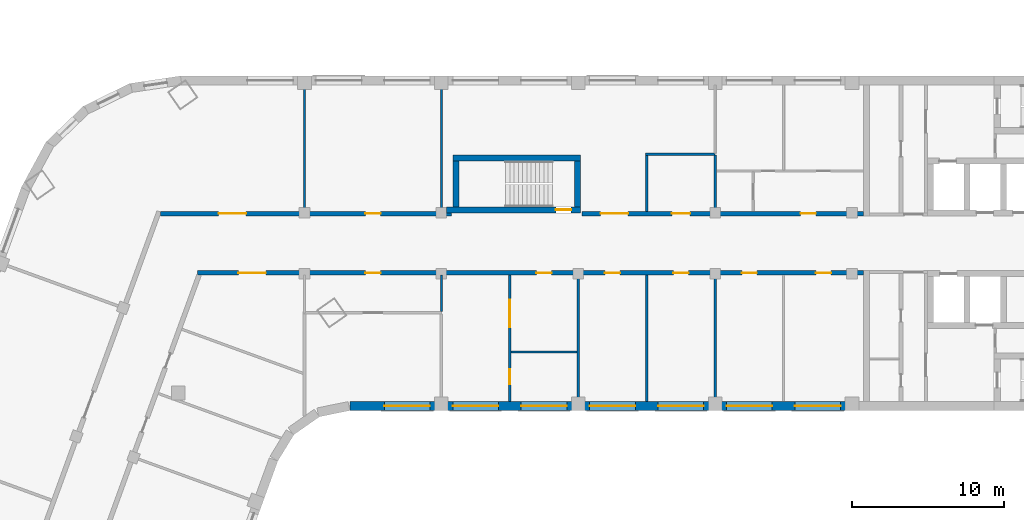
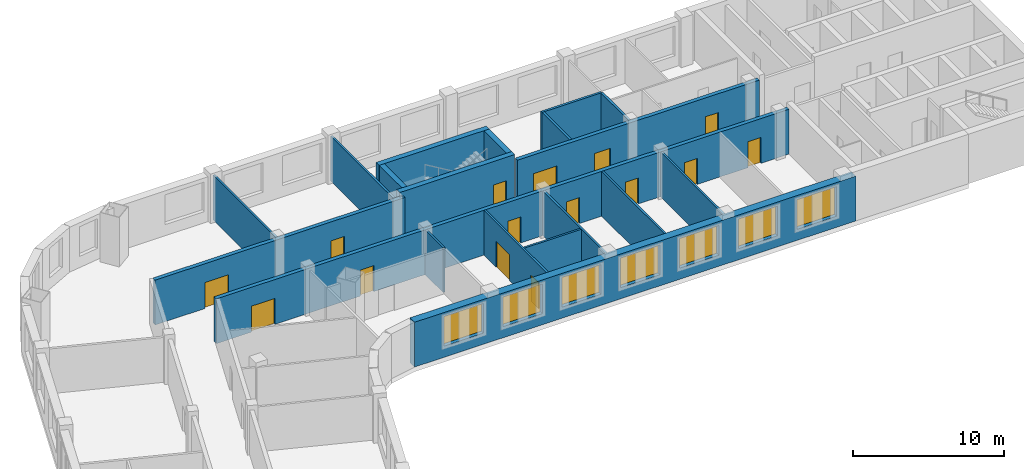
# One storey, part 4 of 12: 19 walls, 15 doors, 7 windows, 22 openings.
"""IFC4 building model written with IfcOpenShell, lengths in metres."""

from ifc_helpers import new_model, si_unit, direction, frame, frame_2d, origin, place, context, subcontext, project, spatial, rectangle, extrude, material, layer, layer_set, type_object, element, fill, save


model = new_model("IFC4")

# Units and contexts
model_context = context("Model", 3, precision=1e-05, world=origin(), true_north=direction((0.0, 1.0)))
body_context = subcontext(model_context, "Body", "Model", "MODEL_VIEW")
ifc_project = project(units=[si_unit("LENGTHUNIT", "METRE"), si_unit("AREAUNIT", "SQUARE_METRE"), si_unit("VOLUMEUNIT", "CUBIC_METRE"), si_unit("PLANEANGLEUNIT", "RADIAN"), si_unit("MASSUNIT", "GRAM", prefix="KILO")], contexts=[model_context])

# Site, building, storey
site_placement = place(None, origin())
site = spatial("IfcSite", under=ifc_project, at=site_placement, CompositionType="ELEMENT")
building_placement = place(site_placement, origin())
building = spatial("IfcBuilding", under=site, at=building_placement, Name="Skarvind Civic Tower", CompositionType="ELEMENT")
storey_placement = place(building_placement, frame((0.0, 0.0, 47.5)))
storey = spatial("IfcBuildingStorey", under=building, at=storey_placement, Name="L10", CompositionType="ELEMENT", Elevation=47.5)

# Walls
ifc_material_1 = material(Name="Acoustic gypsum board on steel studs", Category="steel")
ifc_layer_1 = layer(ifc_material_1, 0.175048828125)
ifc_layer_set_1 = layer_set([ifc_layer_1], Name="ACOUSTIC MEETING-ROOM PARTITION 175")
wall_type_1 = type_object("IfcWallType", Name="ACOUSTIC MEETING-ROOM PARTITION 175", PredefinedType="PARTITIONING", material=ifc_layer_set_1)
wall_1_placement = place(storey_placement, frame((76.75, 130.10009765625, 0.0), z_axis=(0.0, 0.0, 1.0), x_axis=(0.0, 1.0, 0.0)))
element("IfcWall", 1, at=wall_1_placement, inside=storey, type_object=wall_type_1, Name="Partition 10.025", PredefinedType="PARTITIONING", context=body_context, shape_type="SweptSolid", body=[
    extrude(rectangle(XDim=3.661865234375, YDim=0.175048828125, at=frame_2d((1.8310546875, 0.0))), origin(), (0.0, 0.0, 1.0), 3.625),
])
wall_2_placement = place(storey_placement, frame((76.662109375, 133.85009765625, 0.0), z_axis=(0.0, 0.0, 1.0), x_axis=(1.0, 0.0, 0.0)))
element("IfcWall", 2, at=wall_2_placement, inside=storey, type_object=wall_type_1, Name="Partition 10.026", PredefinedType="PARTITIONING", context=body_context, shape_type="SweptSolid", body=[
    extrude(rectangle(XDim=4.587890625, YDim=0.175048828125, at=frame_2d((2.2939453125, 0.0))), origin(), (0.0, 0.0, 1.0), 3.625),
])
wall_3_placement = place(storey_placement, frame((81.25, 130.10009765625, 0.0), z_axis=(0.0, 0.0, 1.0), x_axis=(0.0, 1.0, 0.0)))
element("IfcWall", 3, at=wall_3_placement, inside=storey, type_object=wall_type_1, Name="Partition 10.028", PredefinedType="PARTITIONING", context=body_context, shape_type="SweptSolid", body=[
    extrude(rectangle(XDim=3.68994140625, YDim=0.175048828125, at=frame_2d((1.844970703125, 0.0))), origin(), (0.0, 0.0, 1.0), 3.625),
])

# Wall, openings, doors
ifc_material_2 = material(Name="Fire-rated gypsum board on steel studs", Category="steel")
ifc_layer_2 = layer(ifc_material_2, 0.300048828125)
ifc_layer_set_2 = layer_set([ifc_layer_2], Name="CORRIDOR WALL 300")
wall_type_2 = type_object("IfcWallType", Name="CORRIDOR WALL 300", PredefinedType="PARTITIONING", material=ifc_layer_set_2)
wall_4_placement = place(storey_placement, frame((44.784912109375, 129.949951171875, 0.0), z_axis=(0.0, 0.0, 1.0), x_axis=(1.0, 0.0, 0.0)))
wall_4 = element("IfcWall", 4, at=wall_4_placement, inside=storey, type_object=wall_type_2, Name="Partition 10.010", PredefinedType="PARTITIONING", context=body_context, shape_type="SweptSolid", body=[
    extrude(rectangle(XDim=19.114990234375, YDim=0.300048828125, at=frame_2d((9.5576171875, 0.0))), origin(), (0.0, 0.0, 1.0), 3.625),
])
opening_1_placement = place(wall_4_placement, frame((13.465087890625, 0.0, 0.0)))
opening_1 = element("IfcOpeningElement", 5, at=opening_1_placement, cuts=wall_4, Name="Opening L10-D007", PredefinedType="OPENING", context=body_context, shape_type="SweptSolid", body=[
    extrude(rectangle(XDim=1.0, YDim=2.10009765625, at=frame_2d((0.5, 1.050048828125))), frame((0.0, 0.159912109375, 0.0), z_axis=(0.0, -1.0, 0.0), x_axis=(1.0, 0.0, 0.0)), (0.0, 0.0, 1.0), 0.320068359375),
])
opening_2_placement = place(wall_4_placement, frame((3.822509765625, 0.0, 0.0)))
opening_2 = element("IfcOpeningElement", 6, at=opening_2_placement, cuts=wall_4, Name="Opening L10-D024", PredefinedType="OPENING", context=body_context, shape_type="SweptSolid", body=[
    extrude(rectangle(XDim=1.800048828125, YDim=2.10009765625, at=frame_2d((0.89990234375, 1.050048828125))), frame((0.0, 0.159912109375, 0.0), z_axis=(0.0, -1.0, 0.0), x_axis=(1.0, 0.0, 0.0)), (0.0, 0.0, 1.0), 0.320068359375),
])
ifc_material_3 = material(Name="Fire-rated timber door leaf", Category="wood")
door_type_1 = type_object("IfcDoorType", Name="FD1 1000x2100", OperationType="NOTDEFINED", PredefinedType="DOOR", material=ifc_material_3)
door_1_placement = place(opening_1_placement, origin())
door_1 = element("IfcDoor", 7, at=door_1_placement, inside=storey, type_object=door_type_1, Name="Door L10-D007", OperationType="SINGLE_SWING_LEFT", OverallHeight=2.10009765625, OverallWidth=1.0, PredefinedType="DOOR", context=body_context, shape_type="SweptSolid", body=[
    extrude(rectangle(XDim=1.0, YDim=2.10009765625, at=frame_2d((0.5, 1.050048828125))), frame((0.0, 0.02490234375, 0.0), z_axis=(0.0, -1.0, 0.0), x_axis=(1.0, 0.0, 0.0)), (0.0, 0.0, 1.0), 0.050048828125),
])
fill(opening_1, door_1)
door_type_2 = type_object("IfcDoorType", Name="FD4 1800x2100", OperationType="NOTDEFINED", PredefinedType="DOOR", material=ifc_material_3)
door_2_placement = place(opening_2_placement, origin())
door_2 = element("IfcDoor", 8, at=door_2_placement, inside=storey, type_object=door_type_2, Name="Door L10-D024", OperationType="DOUBLE_DOOR_SINGLE_SWING", OverallHeight=2.10009765625, OverallWidth=1.800048828125, PredefinedType="DOOR", context=body_context, shape_type="SweptSolid", body=[
    extrude(rectangle(XDim=1.800048828125, YDim=2.10009765625, at=frame_2d((0.89990234375, 1.050048828125))), frame((0.0, 0.02490234375, 0.0), z_axis=(0.0, -1.0, 0.0), x_axis=(1.0, 0.0, 0.0)), (0.0, 0.0, 1.0), 0.050048828125),
])
fill(opening_2, door_2)

wall_5_placement = place(storey_placement, frame((72.5, 129.949951171875, 0.0), z_axis=(0.0, 0.0, 1.0), x_axis=(1.0, 0.0, 0.0)))
wall_5 = element("IfcWall", 9, at=wall_5_placement, inside=storey, type_object=wall_type_2, Name="Partition 10.023", PredefinedType="PARTITIONING", context=body_context, shape_type="SweptSolid", body=[
    extrude(rectangle(XDim=18.5, YDim=0.300048828125, at=frame_2d((9.25, 0.0))), origin(), (0.0, 0.0, 1.0), 3.625),
])
opening_3_placement = place(wall_5_placement, frame((14.375, 0.0, 0.0)))
opening_3 = element("IfcOpeningElement", 10, at=opening_3_placement, cuts=wall_5, Name="Opening L10-D001", PredefinedType="OPENING", context=body_context, shape_type="SweptSolid", body=[
    extrude(rectangle(XDim=1.0, YDim=2.10009765625, at=frame_2d((0.5, 1.050048828125))), frame((0.0, 0.159912109375, 0.0), z_axis=(0.0, -1.0, 0.0), x_axis=(1.0, 0.0, 0.0)), (0.0, 0.0, 1.0), 0.320068359375),
])
opening_4_placement = place(wall_5_placement, frame((5.89990234375, 0.0, 0.0)))
opening_4 = element("IfcOpeningElement", 11, at=opening_4_placement, cuts=wall_5, Name="Opening L10-D005", PredefinedType="OPENING", context=body_context, shape_type="SweptSolid", body=[
    extrude(rectangle(XDim=1.199951171875, YDim=2.10009765625, at=frame_2d((0.60009765625, 1.050048828125))), frame((0.0, 0.159912109375, 0.0), z_axis=(0.0, -1.0, 0.0), x_axis=(1.0, 0.0, 0.0)), (0.0, 0.0, 1.0), 0.320068359375),
])
opening_5_placement = place(wall_5_placement, frame((1.22509765625, 0.0, 0.0)))
opening_5 = element("IfcOpeningElement", 12, at=opening_5_placement, cuts=wall_5, Name="Opening L10-D006", PredefinedType="OPENING", context=body_context, shape_type="SweptSolid", body=[
    extrude(rectangle(XDim=1.800048828125, YDim=2.10009765625, at=frame_2d((0.89990234375, 1.050048828125))), frame((0.0, 0.159912109375, 0.0), z_axis=(0.0, -1.0, 0.0), x_axis=(1.0, 0.0, 0.0)), (0.0, 0.0, 1.0), 0.320068359375),
])
door_3_placement = place(opening_3_placement, origin())
door_3 = element("IfcDoor", 13, at=door_3_placement, inside=storey, type_object=door_type_1, Name="Door L10-D001", OperationType="SINGLE_SWING_LEFT", OverallHeight=2.10009765625, OverallWidth=1.0, PredefinedType="DOOR", context=body_context, shape_type="SweptSolid", body=[
    extrude(rectangle(XDim=1.0, YDim=2.10009765625, at=frame_2d((0.5, 1.050048828125))), frame((0.0, 0.02490234375, 0.0), z_axis=(0.0, -1.0, 0.0), x_axis=(1.0, 0.0, 0.0)), (0.0, 0.0, 1.0), 0.050048828125),
])
fill(opening_3, door_3)
door_4_placement = place(opening_5_placement, origin())
door_4 = element("IfcDoor", 14, at=door_4_placement, inside=storey, type_object=door_type_2, Name="Door L10-D006", OperationType="DOUBLE_DOOR_SINGLE_SWING", OverallHeight=2.10009765625, OverallWidth=1.800048828125, PredefinedType="DOOR", context=body_context, shape_type="SweptSolid", body=[
    extrude(rectangle(XDim=1.800048828125, YDim=2.10009765625, at=frame_2d((0.89990234375, 1.050048828125))), frame((0.0, 0.02490234375, 0.0), z_axis=(0.0, -1.0, 0.0), x_axis=(1.0, 0.0, 0.0)), (0.0, 0.0, 1.0), 0.050048828125),
])
fill(opening_5, door_4)
door_type_3 = type_object("IfcDoorType", Name="FD6 1200x2100 DOUBLE", OperationType="NOTDEFINED", PredefinedType="DOOR", material=ifc_material_3)
door_5_placement = place(opening_4_placement, origin())
door_5 = element("IfcDoor", 15, at=door_5_placement, inside=storey, type_object=door_type_3, Name="Door L10-D005", OperationType="DOUBLE_DOOR_SINGLE_SWING", OverallHeight=2.10009765625, OverallWidth=1.199951171875, PredefinedType="DOOR", context=body_context, shape_type="SweptSolid", body=[
    extrude(rectangle(XDim=1.199951171875, YDim=2.10009765625, at=frame_2d((0.60009765625, 1.050048828125))), frame((0.0, 0.02490234375, 0.0), z_axis=(0.0, -1.0, 0.0), x_axis=(1.0, 0.0, 0.0)), (0.0, 0.0, 1.0), 0.050048828125),
])
fill(opening_4, door_5)

wall_6_placement = place(storey_placement, frame((91.0, 126.050048828125, 0.0), z_axis=(0.0, 0.0, 1.0), x_axis=(-1.0, 0.0, 0.0)))
wall_6 = element("IfcWall", 16, at=wall_6_placement, inside=storey, type_object=wall_type_2, Name="Partition 10.034", PredefinedType="PARTITIONING", context=body_context, shape_type="SweptSolid", body=[
    extrude(rectangle(XDim=43.784912109375, YDim=0.300048828125, at=frame_2d((21.892578125, 0.0))), origin(), (0.0, 0.0, 1.0), 3.625),
])
opening_6_placement = place(wall_6_placement, frame((2.125, 0.0, 0.0)))
opening_6 = element("IfcOpeningElement", 17, at=opening_6_placement, cuts=wall_6, Name="Opening L10-D008", PredefinedType="OPENING", context=body_context, shape_type="SweptSolid", body=[
    extrude(rectangle(XDim=1.0, YDim=2.10009765625, at=frame_2d((0.5, 1.050048828125))), frame((0.0, 0.159912109375, 0.0), z_axis=(0.0, -1.0, 0.0), x_axis=(1.0, 0.0, 0.0)), (0.0, 0.0, 1.0), 0.320068359375),
])
opening_7_placement = place(wall_6_placement, frame((7.0, 0.0, 0.0)))
opening_7 = element("IfcOpeningElement", 18, at=opening_7_placement, cuts=wall_6, Name="Opening L10-D009", PredefinedType="OPENING", context=body_context, shape_type="SweptSolid", body=[
    extrude(rectangle(XDim=1.0, YDim=2.10009765625, at=frame_2d((0.5, 1.050048828125))), frame((0.0, 0.159912109375, 0.0), z_axis=(0.0, -1.0, 0.0), x_axis=(1.0, 0.0, 0.0)), (0.0, 0.0, 1.0), 0.320068359375),
])
opening_8_placement = place(wall_6_placement, frame((11.5, 0.0, 0.0)))
opening_8 = element("IfcOpeningElement", 19, at=opening_8_placement, cuts=wall_6, Name="Opening L10-D010", PredefinedType="OPENING", context=body_context, shape_type="SweptSolid", body=[
    extrude(rectangle(XDim=1.0, YDim=2.10009765625, at=frame_2d((0.5, 1.050048828125))), frame((0.0, 0.159912109375, 0.0), z_axis=(0.0, -1.0, 0.0), x_axis=(1.0, 0.0, 0.0)), (0.0, 0.0, 1.0), 0.320068359375),
])
opening_9_placement = place(wall_6_placement, frame((16.0, 0.0, 0.0)))
opening_9 = element("IfcOpeningElement", 20, at=opening_9_placement, cuts=wall_6, Name="Opening L10-D011", PredefinedType="OPENING", context=body_context, shape_type="SweptSolid", body=[
    extrude(rectangle(XDim=1.0, YDim=2.10009765625, at=frame_2d((0.5, 1.050048828125))), frame((0.0, 0.159912109375, 0.0), z_axis=(0.0, -1.0, 0.0), x_axis=(1.0, 0.0, 0.0)), (0.0, 0.0, 1.0), 0.320068359375),
])
opening_10_placement = place(wall_6_placement, frame((20.5, 0.0, 0.0)))
opening_10 = element("IfcOpeningElement", 21, at=opening_10_placement, cuts=wall_6, Name="Opening L10-D012", PredefinedType="OPENING", context=body_context, shape_type="SweptSolid", body=[
    extrude(rectangle(XDim=1.0, YDim=2.10009765625, at=frame_2d((0.5, 1.050048828125))), frame((0.0, 0.159912109375, 0.0), z_axis=(0.0, -1.0, 0.0), x_axis=(1.0, 0.0, 0.0)), (0.0, 0.0, 1.0), 0.320068359375),
])
opening_11_placement = place(wall_6_placement, frame((31.75, 0.0, 0.0)))
opening_11 = element("IfcOpeningElement", 22, at=opening_11_placement, cuts=wall_6, Name="Opening L10-D015", PredefinedType="OPENING", context=body_context, shape_type="SweptSolid", body=[
    extrude(rectangle(XDim=1.0, YDim=2.10009765625, at=frame_2d((0.5, 1.050048828125))), frame((0.0, 0.159912109375, 0.0), z_axis=(0.0, -1.0, 0.0), x_axis=(1.0, 0.0, 0.0)), (0.0, 0.0, 1.0), 0.320068359375),
])
opening_12_placement = place(wall_6_placement, frame((39.2958984375, 0.0, 0.0)))
opening_12 = element("IfcOpeningElement", 23, at=opening_12_placement, cuts=wall_6, Name="Opening L10-D025", PredefinedType="OPENING", context=body_context, shape_type="SweptSolid", body=[
    extrude(rectangle(XDim=1.800048828125, YDim=2.10009765625, at=frame_2d((0.89990234375, 1.050048828125))), frame((0.0, 0.159912109375, 0.0), z_axis=(0.0, -1.0, 0.0), x_axis=(1.0, 0.0, 0.0)), (0.0, 0.0, 1.0), 0.320068359375),
])
door_6_placement = place(opening_6_placement, origin())
door_6 = element("IfcDoor", 24, at=door_6_placement, inside=storey, type_object=door_type_1, Name="Door L10-D008", OperationType="SINGLE_SWING_LEFT", OverallHeight=2.10009765625, OverallWidth=1.0, PredefinedType="DOOR", context=body_context, shape_type="SweptSolid", body=[
    extrude(rectangle(XDim=1.0, YDim=2.10009765625, at=frame_2d((0.5, 1.050048828125))), frame((0.0, 0.02490234375, 0.0), z_axis=(0.0, -1.0, 0.0), x_axis=(1.0, 0.0, 0.0)), (0.0, 0.0, 1.0), 0.050048828125),
])
fill(opening_6, door_6)
door_7_placement = place(opening_7_placement, origin())
door_7 = element("IfcDoor", 25, at=door_7_placement, inside=storey, type_object=door_type_1, Name="Door L10-D009", OperationType="SINGLE_SWING_RIGHT", OverallHeight=2.10009765625, OverallWidth=1.0, PredefinedType="DOOR", context=body_context, shape_type="SweptSolid", body=[
    extrude(rectangle(XDim=1.0, YDim=2.10009765625, at=frame_2d((0.5, 1.050048828125))), frame((0.0, 0.02490234375, 0.0), z_axis=(0.0, -1.0, 0.0), x_axis=(1.0, 0.0, 0.0)), (0.0, 0.0, 1.0), 0.050048828125),
])
fill(opening_7, door_7)
door_8_placement = place(opening_8_placement, origin())
door_8 = element("IfcDoor", 26, at=door_8_placement, inside=storey, type_object=door_type_1, Name="Door L10-D010", OperationType="SINGLE_SWING_LEFT", OverallHeight=2.10009765625, OverallWidth=1.0, PredefinedType="DOOR", context=body_context, shape_type="SweptSolid", body=[
    extrude(rectangle(XDim=1.0, YDim=2.10009765625, at=frame_2d((0.5, 1.050048828125))), frame((0.0, 0.02490234375, 0.0), z_axis=(0.0, -1.0, 0.0), x_axis=(1.0, 0.0, 0.0)), (0.0, 0.0, 1.0), 0.050048828125),
])
fill(opening_8, door_8)
door_9_placement = place(opening_9_placement, origin())
door_9 = element("IfcDoor", 27, at=door_9_placement, inside=storey, type_object=door_type_1, Name="Door L10-D011", OperationType="SINGLE_SWING_LEFT", OverallHeight=2.10009765625, OverallWidth=1.0, PredefinedType="DOOR", context=body_context, shape_type="SweptSolid", body=[
    extrude(rectangle(XDim=1.0, YDim=2.10009765625, at=frame_2d((0.5, 1.050048828125))), frame((0.0, 0.02490234375, 0.0), z_axis=(0.0, -1.0, 0.0), x_axis=(1.0, 0.0, 0.0)), (0.0, 0.0, 1.0), 0.050048828125),
])
fill(opening_9, door_9)
door_10_placement = place(opening_10_placement, origin())
door_10 = element("IfcDoor", 28, at=door_10_placement, inside=storey, type_object=door_type_1, Name="Door L10-D012", OperationType="SINGLE_SWING_LEFT", OverallHeight=2.10009765625, OverallWidth=1.0, PredefinedType="DOOR", context=body_context, shape_type="SweptSolid", body=[
    extrude(rectangle(XDim=1.0, YDim=2.10009765625, at=frame_2d((0.5, 1.050048828125))), frame((0.0, 0.02490234375, 0.0), z_axis=(0.0, -1.0, 0.0), x_axis=(1.0, 0.0, 0.0)), (0.0, 0.0, 1.0), 0.050048828125),
])
fill(opening_10, door_10)
door_11_placement = place(opening_11_placement, origin())
door_11 = element("IfcDoor", 29, at=door_11_placement, inside=storey, type_object=door_type_1, Name="Door L10-D015", OperationType="SINGLE_SWING_LEFT", OverallHeight=2.10009765625, OverallWidth=1.0, PredefinedType="DOOR", context=body_context, shape_type="SweptSolid", body=[
    extrude(rectangle(XDim=1.0, YDim=2.10009765625, at=frame_2d((0.5, 1.050048828125))), frame((0.0, 0.02490234375, 0.0), z_axis=(0.0, -1.0, 0.0), x_axis=(1.0, 0.0, 0.0)), (0.0, 0.0, 1.0), 0.050048828125),
])
fill(opening_11, door_11)
door_12_placement = place(opening_12_placement, origin())
door_12 = element("IfcDoor", 30, at=door_12_placement, inside=storey, type_object=door_type_2, Name="Door L10-D025", OperationType="DOUBLE_DOOR_SINGLE_SWING", OverallHeight=2.10009765625, OverallWidth=1.800048828125, PredefinedType="DOOR", context=body_context, shape_type="SweptSolid", body=[
    extrude(rectangle(XDim=1.800048828125, YDim=2.10009765625, at=frame_2d((0.89990234375, 1.050048828125))), frame((0.0, 0.02490234375, 0.0), z_axis=(0.0, -1.0, 0.0), x_axis=(1.0, 0.0, 0.0)), (0.0, 0.0, 1.0), 0.050048828125),
])
fill(opening_12, door_12)

# Wall, opening, door
ifc_material_4 = material(Name="Concrete C80", Category="concrete")
ifc_layer_3 = layer(ifc_material_4, 0.39990234375)
ifc_layer_set_3 = layer_set([ifc_layer_3], Name="Core wall 400 C80")
wall_type_3 = type_object("IfcWallType", Name="Core wall 400 C80", PredefinedType="SHEAR", material=ifc_layer_set_3)
wall_7_placement = place(storey_placement, frame((63.60009765625, 130.199951171875, 0.0), z_axis=(0.0, 0.0, 1.0), x_axis=(1.0, 0.0, 0.0)))
wall_7 = element("IfcWall", 31, at=wall_7_placement, inside=storey, type_object=wall_type_3, Name="Core wall CM inner L10", PredefinedType="SHEAR", context=body_context, shape_type="SweptSolid", body=[
    extrude(rectangle(XDim=8.7998046875, YDim=0.39990234375, at=frame_2d((4.39990234375, 0.0))), origin(), (0.0, 0.0, 1.0), 4.0),
])
opening_13_placement = place(wall_7_placement, frame((7.175048828125, 0.0, 0.0)))
opening_13 = element("IfcOpeningElement", 32, at=opening_13_placement, cuts=wall_7, Name="Opening D-L10-CM-01", PredefinedType="OPENING", context=body_context, shape_type="SweptSolid", body=[
    extrude(rectangle(XDim=1.0, YDim=2.10009765625, at=frame_2d((0.5, 1.050048828125))), frame((0.0, 0.2099609375, 0.0), z_axis=(0.0, -1.0, 0.0), x_axis=(1.0, 0.0, 0.0)), (0.0, 0.0, 1.0), 0.419921875),
])
ifc_material_5 = material(Name="Fire-rated steel door", Category="steel")
door_type_4 = type_object("IfcDoorType", Name="Fire door 1000", OperationType="NOTDEFINED", PredefinedType="DOOR", material=ifc_material_5)
door_13_placement = place(opening_13_placement, origin())
door_13 = element("IfcDoor", 33, at=door_13_placement, inside=storey, type_object=door_type_4, Name="Fire door", OperationType="SINGLE_SWING_LEFT", OverallHeight=2.10009765625, OverallWidth=1.0, PredefinedType="DOOR", context=body_context, shape_type="SweptSolid", body=[
    extrude(rectangle(XDim=1.0, YDim=2.10009765625, at=frame_2d((0.5, 1.050048828125))), frame((0.0, 0.02490234375, 0.0), z_axis=(0.0, -1.0, 0.0), x_axis=(1.0, 0.0, 0.0)), (0.0, 0.0, 1.0), 0.050048828125),
])
fill(opening_13, door_13)

# Walls
wall_8_placement = place(storey_placement, frame((64.0, 133.60009765625, 0.0), z_axis=(0.0, 0.0, 1.0), x_axis=(1.0, 0.0, 0.0)))
element("IfcWall", 34, at=wall_8_placement, inside=storey, type_object=wall_type_3, Name="Core wall CM outer L10", PredefinedType="SHEAR", context=body_context, shape_type="SweptSolid", body=[
    extrude(rectangle(XDim=8.39990234375, YDim=0.39990234375, at=frame_2d((4.199951171875, 0.0))), origin(), (0.0, 0.0, 1.0), 4.0),
])
for number, where, z_axis, x_axis, name in (
    (35, (64.199951171875, 130.39990234375, 0.0), (0.0, 0.0, 1.0), (0.0, 1.0, 0.0), "Core wall CM west L10"),
    (36, (72.199951171875, 130.39990234375, 0.0), (0.0, 0.0, 1.0), (0.0, 1.0, 0.0), "Core wall CM end L10"),
):
    element("IfcWall", number, at=place(storey_placement, frame(where, z_axis=z_axis, x_axis=x_axis)), inside=storey, type_object=wall_type_3, Name=name, PredefinedType="SHEAR", context=body_context, shape_type="SweptSolid", body=[
        extrude(rectangle(XDim=3.0, YDim=0.39990234375, at=frame_2d((1.5, 0.0))), origin(), (0.0, 0.0, 1.0), 4.0),
    ])
ifc_material_6 = material(Name="Plasterboard partition on steel studs", Category="steel")
ifc_layer_4 = layer(ifc_material_6, 0.14990234375)
ifc_layer_set_4 = layer_set([ifc_layer_4], Name="PARTITION 150")
wall_type_4 = type_object("IfcWallType", Name="PARTITION 150", PredefinedType="PARTITIONING", material=ifc_layer_set_4)
wall_9_placement = place(storey_placement, frame((54.25, 138.39990234375, 0.0), z_axis=(0.0, 0.0, 1.0), x_axis=(0.0, -1.0, 0.0)))
element("IfcWall", 37, at=wall_9_placement, inside=storey, type_object=wall_type_4, Name="Partition 10.015", PredefinedType="PARTITIONING", context=body_context, shape_type="SweptSolid", body=[
    extrude(rectangle(XDim=8.2998046875, YDim=0.14990234375, at=frame_2d((4.14990234375, 0.0))), origin(), (0.0, 0.0, 1.0), 3.625),
])
wall_10_placement = place(storey_placement, frame((63.25, 123.514892578125, 0.0), z_axis=(0.0, 0.0, 1.0), x_axis=(0.0, 1.0, 0.0)))
element("IfcWall", 38, at=wall_10_placement, inside=storey, type_object=wall_type_4, Name="Partition 10.017", PredefinedType="PARTITIONING", context=body_context, shape_type="SweptSolid", body=[
    extrude(rectangle(XDim=2.385009765625, YDim=0.14990234375, at=frame_2d((1.1923828125, 0.0))), origin(), (0.0, 0.0, 1.0), 3.625),
])
wall_11_placement = place(storey_placement, frame((63.25, 130.10009765625, 0.0), z_axis=(0.0, 0.0, 1.0), x_axis=(0.0, 1.0, 0.0)))
element("IfcWall", 39, at=wall_11_placement, inside=storey, type_object=wall_type_4, Name="Partition 10.019", PredefinedType="PARTITIONING", context=body_context, shape_type="SweptSolid", body=[
    extrude(rectangle(XDim=8.2998046875, YDim=0.14990234375, at=frame_2d((4.14990234375, 0.0))), origin(), (0.0, 0.0, 1.0), 3.625),
])

# Wall, openings, doors
wall_12_placement = place(storey_placement, frame((67.75, 125.89990234375, 0.0), z_axis=(0.0, 0.0, 1.0), x_axis=(0.0, -1.0, 0.0)))
wall_12 = element("IfcWall", 40, at=wall_12_placement, inside=storey, type_object=wall_type_4, Name="Partition 10.020", PredefinedType="PARTITIONING", context=body_context, shape_type="SweptSolid", body=[
    extrude(rectangle(XDim=8.2998046875, YDim=0.14990234375, at=frame_2d((4.14990234375, 0.0))), origin(), (0.0, 0.0, 1.0), 3.625),
])
opening_14_placement = place(wall_12_placement, frame((6.175048828125, 0.0, 0.0)))
opening_14 = element("IfcOpeningElement", 41, at=opening_14_placement, cuts=wall_12, Name="Opening L10-D013", PredefinedType="OPENING", context=body_context, shape_type="SweptSolid", body=[
    extrude(rectangle(XDim=1.0, YDim=2.10009765625, at=frame_2d((0.5, 1.050048828125))), frame((0.0, 0.0849609375, 0.0), z_axis=(0.0, -1.0, 0.0), x_axis=(1.0, 0.0, 0.0)), (0.0, 0.0, 1.0), 0.169921875),
])
opening_15_placement = place(wall_12_placement, frame((1.614990234375, 0.0, 0.0)))
opening_15 = element("IfcOpeningElement", 42, at=opening_15_placement, cuts=wall_12, Name="Opening L10-D014", PredefinedType="OPENING", context=body_context, shape_type="SweptSolid", body=[
    extrude(rectangle(XDim=1.800048828125, YDim=2.10009765625, at=frame_2d((0.89990234375, 1.050048828125))), frame((0.0, 0.0849609375, 0.0), z_axis=(0.0, -1.0, 0.0), x_axis=(1.0, 0.0, 0.0)), (0.0, 0.0, 1.0), 0.169921875),
])
ifc_material_7 = material(Name="Timber door leaf", Category="wood")
door_type_5 = type_object("IfcDoorType", Name="D1 1000x2100", OperationType="NOTDEFINED", PredefinedType="DOOR", material=ifc_material_7)
door_14_placement = place(opening_14_placement, origin())
door_14 = element("IfcDoor", 43, at=door_14_placement, inside=storey, type_object=door_type_5, Name="Door L10-D013", OperationType="SINGLE_SWING_RIGHT", OverallHeight=2.10009765625, OverallWidth=1.0, PredefinedType="DOOR", context=body_context, shape_type="SweptSolid", body=[
    extrude(rectangle(XDim=1.0, YDim=2.10009765625, at=frame_2d((0.5, 1.050048828125))), frame((0.0, 0.02490234375, 0.0), z_axis=(0.0, -1.0, 0.0), x_axis=(1.0, 0.0, 0.0)), (0.0, 0.0, 1.0), 0.050048828125),
])
fill(opening_14, door_14)
door_type_6 = type_object("IfcDoorType", Name="D4 1800x2100", OperationType="NOTDEFINED", PredefinedType="DOOR", material=ifc_material_7)
door_15_placement = place(opening_15_placement, origin())
door_15 = element("IfcDoor", 44, at=door_15_placement, inside=storey, type_object=door_type_6, Name="Door L10-D014", OperationType="DOUBLE_DOOR_SINGLE_SWING", OverallHeight=2.10009765625, OverallWidth=1.800048828125, PredefinedType="DOOR", context=body_context, shape_type="SweptSolid", body=[
    extrude(rectangle(XDim=1.800048828125, YDim=2.10009765625, at=frame_2d((0.89990234375, 1.050048828125))), frame((0.0, 0.02490234375, 0.0), z_axis=(0.0, -1.0, 0.0), x_axis=(1.0, 0.0, 0.0)), (0.0, 0.0, 1.0), 0.050048828125),
])
fill(opening_15, door_15)

# Walls
wall_13_placement = place(storey_placement, frame((67.824951171875, 120.85009765625, 0.0), z_axis=(0.0, 0.0, 1.0), x_axis=(1.0, 0.0, 0.0)))
element("IfcWall", 45, at=wall_13_placement, inside=storey, type_object=wall_type_4, Name="Partition 10.021", PredefinedType="PARTITIONING", context=body_context, shape_type="SweptSolid", body=[
    extrude(rectangle(XDim=4.35009765625, YDim=0.14990234375, at=frame_2d((2.175048828125, 0.0))), origin(), (0.0, 0.0, 1.0), 3.625),
])
for number, where, z_axis, x_axis, name in (
    (46, (72.25, 117.60009765625, 0.0), (0.0, 0.0, 1.0), (0.0, 1.0, 0.0), "Partition 10.022"),
    (47, (76.75, 117.60009765625, 0.0), (0.0, 0.0, 1.0), (0.0, 1.0, 0.0), "Partition 10.024"),
    (48, (81.25, 117.60009765625, 0.0), (0.0, 0.0, 1.0), (0.0, 1.0, 0.0), "Partition 10.027"),
):
    element("IfcWall", number, at=place(storey_placement, frame(where, z_axis=z_axis, x_axis=x_axis)), inside=storey, type_object=wall_type_4, Name=name, PredefinedType="PARTITIONING", context=body_context, shape_type="SweptSolid", body=[
        extrude(rectangle(XDim=8.2998046875, YDim=0.14990234375, at=frame_2d((4.14990234375, 0.0))), origin(), (0.0, 0.0, 1.0), 3.625),
    ])

# Wall, openings, windows
ifc_material_8 = material(Name="Limestone masonry cladding on insulated backing", Category="masonry")
ifc_layer_5 = layer(ifc_material_8, 0.60009765625)
ifc_layer_set_5 = layer_set([ifc_layer_5], Name="WX1 STONE FACADE WALL 600")
wall_type_5 = type_object("IfcWallType", Name="WX1 STONE FACADE WALL 600", PredefinedType="SOLIDWALL", material=ifc_layer_set_5)
wall_14_placement = place(storey_placement, frame((90.97998046875, 117.300048828125, 0.0), z_axis=(0.0, 0.0, 1.0), x_axis=(-1.0, 0.0, 0.0)))
wall_14 = element("IfcWall", 49, at=wall_14_placement, inside=storey, type_object=wall_type_5, Name="STONE FACADE WALL", PredefinedType="SOLIDWALL", context=body_context, shape_type="SweptSolid", body=[
    extrude(rectangle(XDim=33.744873046875, YDim=0.60009765625, at=frame_2d((16.87255859375, 0.0))), origin(), (0.0, 0.0, 1.0), 3.625),
])
opening_16_placement = place(wall_14_placement, frame((1.47998046875, 0.0, 0.89990234375)))
opening_16 = element("IfcOpeningElement", 50, at=opening_16_placement, cuts=wall_14, Name="Opening WN1", PredefinedType="OPENING", context=body_context, shape_type="SweptSolid", body=[
    extrude(rectangle(XDim=3.0, YDim=2.39990234375, at=frame_2d((1.5, 1.199951171875))), frame((0.0, 0.31005859375, 0.0), z_axis=(0.0, -1.0, 0.0), x_axis=(1.0, 0.0, 0.0)), (0.0, 0.0, 1.0), 0.6201171875),
])
opening_17_placement = place(wall_14_placement, frame((5.97998046875, 0.0, 0.89990234375)))
opening_17 = element("IfcOpeningElement", 51, at=opening_17_placement, cuts=wall_14, Name="Opening WN1", PredefinedType="OPENING", context=body_context, shape_type="SweptSolid", body=[
    extrude(rectangle(XDim=3.0, YDim=2.39990234375, at=frame_2d((1.5, 1.199951171875))), frame((0.0, 0.31005859375, 0.0), z_axis=(0.0, -1.0, 0.0), x_axis=(1.0, 0.0, 0.0)), (0.0, 0.0, 1.0), 0.6201171875),
])
opening_18_placement = place(wall_14_placement, frame((10.47998046875, 0.0, 0.89990234375)))
opening_18 = element("IfcOpeningElement", 52, at=opening_18_placement, cuts=wall_14, Name="Opening WN1", PredefinedType="OPENING", context=body_context, shape_type="SweptSolid", body=[
    extrude(rectangle(XDim=3.0, YDim=2.39990234375, at=frame_2d((1.5, 1.199951171875))), frame((0.0, 0.31005859375, 0.0), z_axis=(0.0, -1.0, 0.0), x_axis=(1.0, 0.0, 0.0)), (0.0, 0.0, 1.0), 0.6201171875),
])
opening_19_placement = place(wall_14_placement, frame((14.97998046875, 0.0, 0.89990234375)))
opening_19 = element("IfcOpeningElement", 53, at=opening_19_placement, cuts=wall_14, Name="Opening WN1", PredefinedType="OPENING", context=body_context, shape_type="SweptSolid", body=[
    extrude(rectangle(XDim=3.0, YDim=2.39990234375, at=frame_2d((1.5, 1.199951171875))), frame((0.0, 0.31005859375, 0.0), z_axis=(0.0, -1.0, 0.0), x_axis=(1.0, 0.0, 0.0)), (0.0, 0.0, 1.0), 0.6201171875),
])
opening_20_placement = place(wall_14_placement, frame((19.47998046875, 0.0, 0.89990234375)))
opening_20 = element("IfcOpeningElement", 54, at=opening_20_placement, cuts=wall_14, Name="Opening WN1", PredefinedType="OPENING", context=body_context, shape_type="SweptSolid", body=[
    extrude(rectangle(XDim=3.0, YDim=2.39990234375, at=frame_2d((1.5, 1.199951171875))), frame((0.0, 0.31005859375, 0.0), z_axis=(0.0, -1.0, 0.0), x_axis=(1.0, 0.0, 0.0)), (0.0, 0.0, 1.0), 0.6201171875),
])
opening_21_placement = place(wall_14_placement, frame((23.97998046875, 0.0, 0.89990234375)))
opening_21 = element("IfcOpeningElement", 55, at=opening_21_placement, cuts=wall_14, Name="Opening WN1", PredefinedType="OPENING", context=body_context, shape_type="SweptSolid", body=[
    extrude(rectangle(XDim=3.0, YDim=2.39990234375, at=frame_2d((1.5, 1.199951171875))), frame((0.0, 0.31005859375, 0.0), z_axis=(0.0, -1.0, 0.0), x_axis=(1.0, 0.0, 0.0)), (0.0, 0.0, 1.0), 0.6201171875),
])
opening_22_placement = place(wall_14_placement, frame((28.47998046875, 0.0, 0.89990234375)))
opening_22 = element("IfcOpeningElement", 56, at=opening_22_placement, cuts=wall_14, Name="Opening WN1", PredefinedType="OPENING", context=body_context, shape_type="SweptSolid", body=[
    extrude(rectangle(XDim=3.0, YDim=2.39990234375, at=frame_2d((1.5, 1.199951171875))), frame((0.0, 0.31005859375, 0.0), z_axis=(0.0, -1.0, 0.0), x_axis=(1.0, 0.0, 0.0)), (0.0, 0.0, 1.0), 0.6201171875),
])
ifc_material_9 = material(Name="Timber frame, double glazing, timber-lined reveal", Category="wood")
window_type = type_object("IfcWindowType", Name="WN1 PUNCHED STONE WINDOW 3000 x 2400", PartitioningType="SINGLE_PANEL", PredefinedType="WINDOW", material=ifc_material_9)
window_1_placement = place(opening_16_placement, origin())
window_1 = element("IfcWindow", 57, at=window_1_placement, inside=storey, type_object=window_type, Name="WN1 WINDOW", OverallHeight=2.39990234375, OverallWidth=3.0, PartitioningType="SINGLE_PANEL", PredefinedType="WINDOW", context=body_context, shape_type="SweptSolid", body=[
    extrude(rectangle(XDim=3.0, YDim=2.39990234375, at=frame_2d((1.5, 1.199951171875))), frame((0.0, 0.030029296875, 0.0), z_axis=(0.0, -1.0, 0.0), x_axis=(1.0, 0.0, 0.0)), (0.0, 0.0, 1.0), 0.06005859375),
])
fill(opening_16, window_1)
window_2_placement = place(opening_17_placement, origin())
window_2 = element("IfcWindow", 58, at=window_2_placement, inside=storey, type_object=window_type, Name="WN1 WINDOW", OverallHeight=2.39990234375, OverallWidth=3.0, PartitioningType="SINGLE_PANEL", PredefinedType="WINDOW", context=body_context, shape_type="SweptSolid", body=[
    extrude(rectangle(XDim=3.0, YDim=2.39990234375, at=frame_2d((1.5, 1.199951171875))), frame((0.0, 0.030029296875, 0.0), z_axis=(0.0, -1.0, 0.0), x_axis=(1.0, 0.0, 0.0)), (0.0, 0.0, 1.0), 0.06005859375),
])
fill(opening_17, window_2)
window_3_placement = place(opening_18_placement, origin())
window_3 = element("IfcWindow", 59, at=window_3_placement, inside=storey, type_object=window_type, Name="WN1 WINDOW", OverallHeight=2.39990234375, OverallWidth=3.0, PartitioningType="SINGLE_PANEL", PredefinedType="WINDOW", context=body_context, shape_type="SweptSolid", body=[
    extrude(rectangle(XDim=3.0, YDim=2.39990234375, at=frame_2d((1.5, 1.199951171875))), frame((0.0, 0.030029296875, 0.0), z_axis=(0.0, -1.0, 0.0), x_axis=(1.0, 0.0, 0.0)), (0.0, 0.0, 1.0), 0.06005859375),
])
fill(opening_18, window_3)
window_4_placement = place(opening_19_placement, origin())
window_4 = element("IfcWindow", 60, at=window_4_placement, inside=storey, type_object=window_type, Name="WN1 WINDOW", OverallHeight=2.39990234375, OverallWidth=3.0, PartitioningType="SINGLE_PANEL", PredefinedType="WINDOW", context=body_context, shape_type="SweptSolid", body=[
    extrude(rectangle(XDim=3.0, YDim=2.39990234375, at=frame_2d((1.5, 1.199951171875))), frame((0.0, 0.030029296875, 0.0), z_axis=(0.0, -1.0, 0.0), x_axis=(1.0, 0.0, 0.0)), (0.0, 0.0, 1.0), 0.06005859375),
])
fill(opening_19, window_4)
window_5_placement = place(opening_20_placement, origin())
window_5 = element("IfcWindow", 61, at=window_5_placement, inside=storey, type_object=window_type, Name="WN1 WINDOW", OverallHeight=2.39990234375, OverallWidth=3.0, PartitioningType="SINGLE_PANEL", PredefinedType="WINDOW", context=body_context, shape_type="SweptSolid", body=[
    extrude(rectangle(XDim=3.0, YDim=2.39990234375, at=frame_2d((1.5, 1.199951171875))), frame((0.0, 0.030029296875, 0.0), z_axis=(0.0, -1.0, 0.0), x_axis=(1.0, 0.0, 0.0)), (0.0, 0.0, 1.0), 0.06005859375),
])
fill(opening_20, window_5)
window_6_placement = place(opening_21_placement, origin())
window_6 = element("IfcWindow", 62, at=window_6_placement, inside=storey, type_object=window_type, Name="WN1 WINDOW", OverallHeight=2.39990234375, OverallWidth=3.0, PartitioningType="SINGLE_PANEL", PredefinedType="WINDOW", context=body_context, shape_type="SweptSolid", body=[
    extrude(rectangle(XDim=3.0, YDim=2.39990234375, at=frame_2d((1.5, 1.199951171875))), frame((0.0, 0.030029296875, 0.0), z_axis=(0.0, -1.0, 0.0), x_axis=(1.0, 0.0, 0.0)), (0.0, 0.0, 1.0), 0.06005859375),
])
fill(opening_21, window_6)
window_7_placement = place(opening_22_placement, origin())
window_7 = element("IfcWindow", 63, at=window_7_placement, inside=storey, type_object=window_type, Name="WN1 WINDOW", OverallHeight=2.39990234375, OverallWidth=3.0, PartitioningType="SINGLE_PANEL", PredefinedType="WINDOW", context=body_context, shape_type="SweptSolid", body=[
    extrude(rectangle(XDim=3.0, YDim=2.39990234375, at=frame_2d((1.5, 1.199951171875))), frame((0.0, 0.030029296875, 0.0), z_axis=(0.0, -1.0, 0.0), x_axis=(1.0, 0.0, 0.0)), (0.0, 0.0, 1.0), 0.06005859375),
])
fill(opening_22, window_7)

save(model, "model.ifc")
